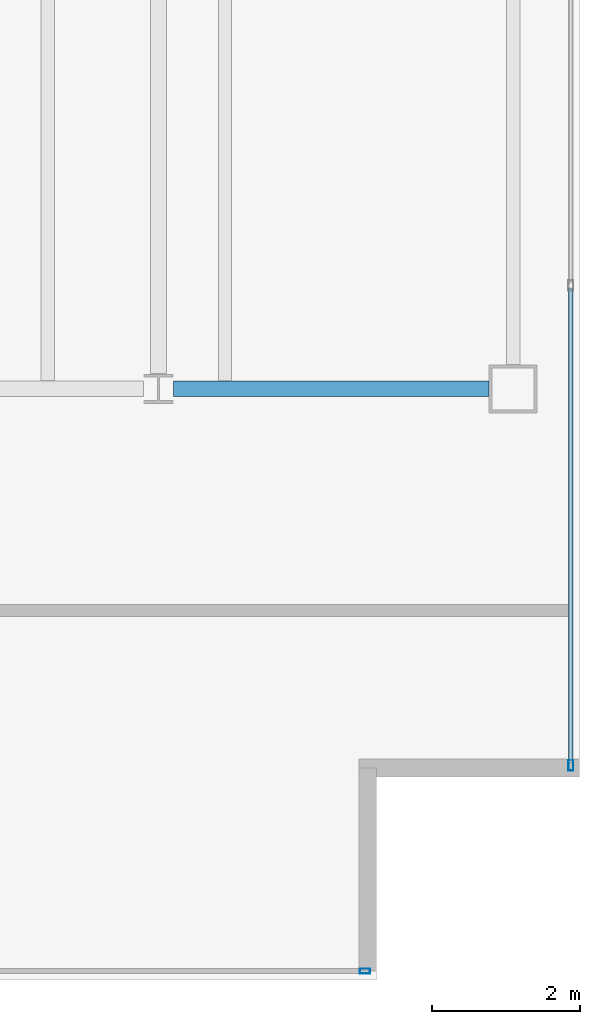
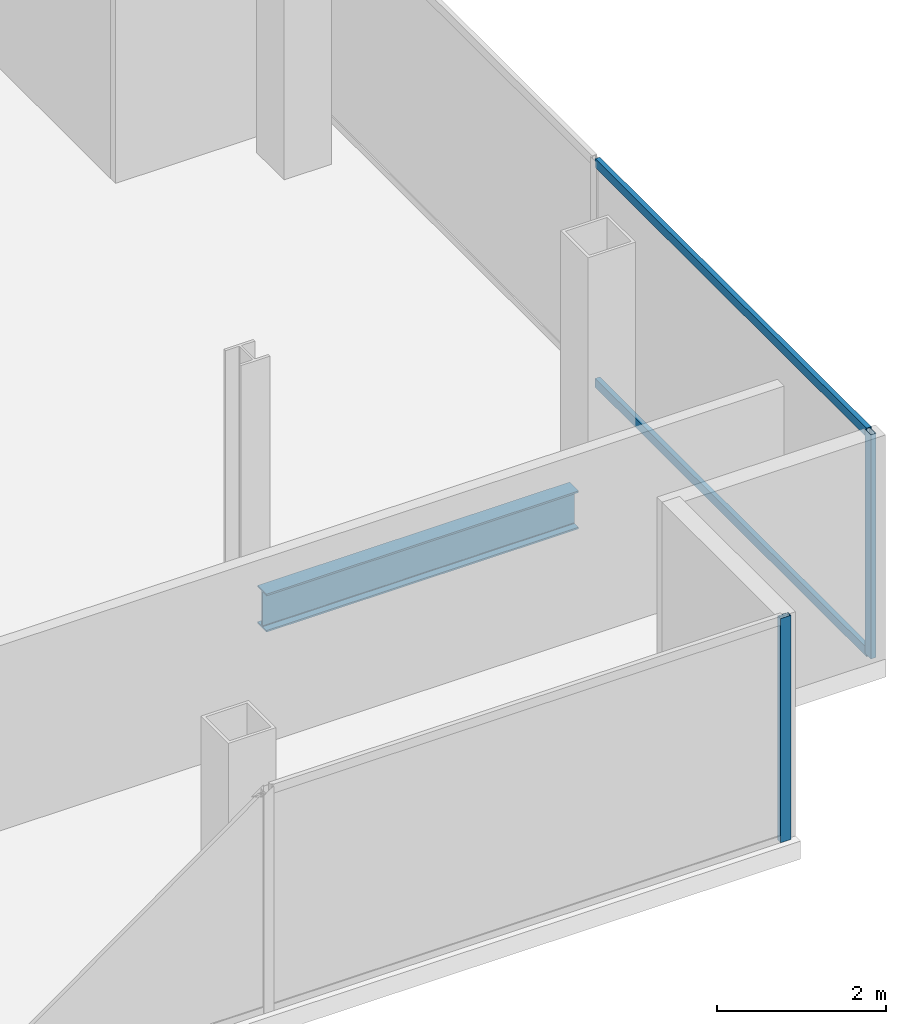
# One storey, part 14 of 24: 4 members, 1 beam, 2 elements without a shape of their own.
"""IFC4 building model written with IfcOpenShell, lengths in metres."""

import ifcopenshell
import ifcopenshell.guid

model = None  # the IFC model being written
_history = None  # IfcOwnerHistory: only IFC2X3 demands one
_inside = {}  # id of a spatial element -> (the spatial element, [elements in it])
_under = {}  # id of a project, library or spatial element -> (it, [spatial elements below it])
_declared = {}  # id of a project -> (the project, [libraries it declares])
_typed = {}  # id of a type object -> (the type object, [elements of that type])
_made_of = {}  # id of a material, layer set ... -> (it, [elements and type objects made of it])


def new_model(schema):
    """Start an empty IFC model of exactly this schema.

    Asked for "IFC4X3", IfcOpenShell would pick the latest addendum, in which some entities
    have other attributes; the version numbers below select the first issue.
    IFC2X3 requires an IfcOwnerHistory on every rooted entity: one is made here for all.
    """
    global model, _history
    if schema == "IFC4X3":
        model = ifcopenshell.file(schema_version=(4, 3, 0, 0))
    else:
        model = ifcopenshell.file(schema=schema)
    _inside.clear()
    _under.clear()
    _declared.clear()
    _typed.clear()
    _made_of.clear()
    _history = None
    if model.schema == "IFC2X3":
        org = make("IfcOrganization", Name="unknown")
        user = make(
            "IfcPersonAndOrganization",
            ThePerson=make("IfcPerson", FamilyName="unknown"),
            TheOrganization=org,
        )
        app = make(
            "IfcApplication",
            ApplicationDeveloper=org,
            Version="unknown",
            ApplicationFullName="unknown",
            ApplicationIdentifier="unknown",
        )
        _history = make(
            "IfcOwnerHistory",
            OwningUser=user,
            OwningApplication=app,
            ChangeAction="ADDED",
            CreationDate=0,
        )
    return model


def make(cls, **values):
    """One entity of the class cls with the attributes given. An attribute that is None is left unset."""
    return model.create_entity(
        cls, **{name: value for name, value in values.items() if value is not None}
    )


def rooted(cls, **values):
    """An entity with a GlobalId (a new one), such as an element, a storey or a relation."""
    return make(cls, GlobalId=ifcopenshell.guid.new(), OwnerHistory=_history, **values)


def si_unit(unit_type, name, prefix=None):
    """IfcSIUnit, for example si_unit("LENGTHUNIT", "METRE", prefix="MILLI")."""
    return make("IfcSIUnit", UnitType=unit_type, Prefix=prefix, Name=name)


def assignment(units):
    """IfcUnitAssignment: the units of a project."""
    return None if units is None else make("IfcUnitAssignment", Units=units)


def point(xyz):
    """IfcCartesianPoint."""
    return None if xyz is None else make("IfcCartesianPoint", Coordinates=xyz)


def direction(xyz):
    """IfcDirection."""
    return None if xyz is None else make("IfcDirection", DirectionRatios=xyz)


def frame(location, z_axis=None, x_axis=None):
    """IfcAxis2Placement3D, a coordinate frame: its origin and axes. An axis left out is left unset."""
    return make(
        "IfcAxis2Placement3D",
        Location=point(location),
        Axis=direction(z_axis),
        RefDirection=direction(x_axis),
    )


def frame_2d(location, x_axis=None):
    """IfcAxis2Placement2D, a coordinate frame in the plane: its origin and x axis."""
    return make(
        "IfcAxis2Placement2D", Location=point(location), RefDirection=direction(x_axis)
    )


def origin():
    """The frame at (0, 0, 0) with its axes left unset."""
    return frame((0.0, 0.0, 0.0))


def origin_2d():
    """The frame at (0, 0) in the plane with its x axis left unset."""
    return frame_2d((0.0, 0.0))


def place(relative_to, where):
    """IfcLocalPlacement: puts the frame where relative to a parent placement (None: the world)."""
    return make(
        "IfcLocalPlacement", PlacementRelTo=relative_to, RelativePlacement=where
    )


def context(
    kind, dimensions, precision=None, world=None, true_north=None, identifier=None
):
    """IfcGeometricRepresentationContext, for example the 3D "Model" context."""
    return make(
        "IfcGeometricRepresentationContext",
        ContextIdentifier=identifier,
        ContextType=kind,
        CoordinateSpaceDimension=dimensions,
        Precision=precision,
        WorldCoordinateSystem=world,
        TrueNorth=true_north,
    )


def subcontext(parent, identifier, kind, view, scale=None):
    """IfcGeometricRepresentationSubContext, for example "Body" below "Model"."""
    return make(
        "IfcGeometricRepresentationSubContext",
        ContextIdentifier=identifier,
        ContextType=kind,
        ParentContext=parent,
        TargetScale=scale,
        TargetView=view,
    )


def project(units=None, contexts=None):
    """IfcProject with its units and contexts."""
    return rooted(
        "IfcProject",
        Name="project",
        RepresentationContexts=contexts,
        UnitsInContext=assignment(units),
    )


def spatial(cls, under=None, at=None, **own):
    """A site, building, storey or space (cls), placed at a placement, below another one or the project."""
    s = rooted(cls, ObjectPlacement=at, **own)
    if under is not None:
        _under.setdefault(under.id(), (under, []))[1].append(s)
    return s


def profile(cls, at=None, kind="AREA", **sizes):
    """A parametric profile (cls). Its sizes go by their IFC names, for example OverallWidth=200.0."""
    return make(cls, ProfileType=kind, Position=at, **sizes)


def hollow_rectangle(**sizes):
    """IfcRectangleHollowProfileDef."""
    return profile("IfcRectangleHollowProfileDef", **sizes)


def i_section(**sizes):
    """IfcIShapeProfileDef."""
    return profile("IfcIShapeProfileDef", **sizes)


def extrude(swept, where, along, depth):
    """IfcExtrudedAreaSolid: the profile swept, set in the frame where, extruded along a direction by depth."""
    return make(
        "IfcExtrudedAreaSolid",
        SweptArea=swept,
        Position=where,
        ExtrudedDirection=direction(along),
        Depth=depth,
    )


def shape(context_of_items, identifier, shape_type, items):
    """IfcShapeRepresentation: the items that make up one representation, for example the "Body"."""
    return make(
        "IfcShapeRepresentation",
        ContextOfItems=context_of_items,
        RepresentationIdentifier=identifier,
        RepresentationType=shape_type,
        Items=items,
    )


def material(Name=None, Category=None):
    """IfcMaterial."""
    return make("IfcMaterial", Name=Name, Category=Category)


def material_profile(
    of_material, cross_section, Name=None, Category=None, Priority=None
):
    """IfcMaterialProfile: a cross section and its material."""
    return make(
        "IfcMaterialProfile",
        Name=Name,
        Material=of_material,
        Profile=cross_section,
        Priority=Priority,
        Category=Category,
    )


def profile_set(profiles, Name=None, composite=None):
    """IfcMaterialProfileSet."""
    return make(
        "IfcMaterialProfileSet",
        Name=Name,
        MaterialProfiles=profiles,
        CompositeProfile=composite,
    )


def made_of(thing, what):
    """Note that an element or type object is made of a material, layer set ...; save() writes the relation."""
    if what is not None:
        _made_of.setdefault(what.id(), (what, []))[1].append(thing)
    return thing


def type_object(cls, material=None, **own):
    """A type object (cls), such as IfcWallType, which elements share."""
    return made_of(rooted(cls, **own), material)


def element(
    cls,
    number,
    at=None,
    inside=None,
    cuts=None,
    type_object=None,
    material=None,
    context=None,
    identifier="Body",
    shape_type=None,
    held_by="IfcProductDefinitionShape",
    body=None,
    shapes=None,
    **own,
):
    """One element of the class cls, such as IfcWall. Its Tag is "e" and its number.

    at: its placement. inside: the storey or other place that contains it. cuts: it is an
    opening in that element (IfcRelVoidsElement). A single representation is given by context,
    identifier, shape_type and body (its items); several are given by shapes. held_by: the class
    of the entity that holds the representations. save() writes the other relations.
    """
    e = rooted(cls, Tag="e%d" % number, ObjectPlacement=at, **own)
    if body is not None:
        shapes = [shape(context, identifier, shape_type, body)]
    if shapes is not None:
        e.Representation = make(held_by, Representations=shapes)
    if inside is not None:
        _inside.setdefault(inside.id(), (inside, []))[1].append(e)
    if cuts is not None:
        rooted(
            "IfcRelVoidsElement", RelatingBuildingElement=cuts, RelatedOpeningElement=e
        )
    if type_object is not None:
        _typed.setdefault(type_object.id(), (type_object, []))[1].append(e)
    return made_of(e, material)


def aggregate(whole, parts):
    """IfcRelAggregates: a whole, such as a stair, and the parts it consists of."""
    return rooted("IfcRelAggregates", RelatingObject=whole, RelatedObjects=parts)


def save(model, path):
    """Write the relations noted so far, then the file.

    IfcRelAggregates (storeys below a building ...), IfcRelContainedInSpatialStructure (elements
    in a storey), IfcRelDefinesByType, IfcRelAssociatesMaterial and IfcRelDeclares: one each for
    every whole, place, type object, material and project.
    """
    for whole, parts in _under.values():
        aggregate(whole, parts)
    for where, things in _inside.values():
        rooted(
            "IfcRelContainedInSpatialStructure",
            RelatedElements=things,
            RelatingStructure=where,
        )
    for kind, things in _typed.values():
        rooted("IfcRelDefinesByType", RelatedObjects=things, RelatingType=kind)
    for what, things in _made_of.values():
        rooted("IfcRelAssociatesMaterial", RelatedObjects=things, RelatingMaterial=what)
    for by, libraries in _declared.values():
        rooted("IfcRelDeclares", RelatingContext=by, RelatedDefinitions=libraries)
    model.write(path)


model = new_model("IFC4")

# Units and contexts
model_context = context("Model", 3, precision=1e-05, world=origin(), true_north=direction((0.0, 1.0)))
body_context = subcontext(model_context, "Body", "Model", "MODEL_VIEW")
ifc_project = project(units=[si_unit("LENGTHUNIT", "METRE"), si_unit("AREAUNIT", "SQUARE_METRE"), si_unit("VOLUMEUNIT", "CUBIC_METRE"), si_unit("PLANEANGLEUNIT", "RADIAN"), si_unit("MASSUNIT", "GRAM", prefix="KILO")], contexts=[model_context])

# Site, building, storey
site_placement = place(None, origin())
site = spatial("IfcSite", under=ifc_project, at=site_placement, CompositionType="ELEMENT")
building_placement = place(site_placement, origin())
building = spatial("IfcBuilding", under=site, at=building_placement, Name="Cobrela Telecom Tower", CompositionType="ELEMENT")
storey_placement = place(building_placement, frame((0.0, 0.0, 244.64990234375)))
storey = spatial("IfcBuildingStorey", under=building, at=storey_placement, Name="L63", CompositionType="ELEMENT", Elevation=244.64990234375)

# Beam
ifc_material_1 = material(Name="Steel ASTM A992 Grade 50", Category="steel")
ifc_material_profile_1 = material_profile(ifc_material_1, i_section(OverallWidth=0.212890625, OverallDepth=0.549072265625, WebThickness=0.0146484375, FlangeThickness=0.023681640625, FilletRadius=0.013916015625, at=origin_2d()), Name="W21X93")
ifc_profile_set_1 = profile_set([ifc_material_profile_1], Name="Steel ASTM A992 Grade 50")
beam_type = type_object("IfcBeamType", Name="BM-GIRD-08", PredefinedType="USERDEFINED", material=ifc_profile_set_1)
beam_placement = place(storey_placement, frame((40.1044921875, 14.39990234375, -0.534423828125), z_axis=(1.0, 0.0, 0.0), x_axis=(0.0, 1.0, 0.0)))
element("IfcBeam", 1, at=beam_placement, inside=storey, type_object=beam_type, Name="L63 Primary Girder X09", ObjectType="GIRDER", PredefinedType="USERDEFINED", context=body_context, shape_type="SweptSolid", body=[
    extrude(i_section(OverallWidth=0.212890625, OverallDepth=0.549072265625, WebThickness=0.0146484375, FlangeThickness=0.023681640625, FilletRadius=0.013916015625, at=origin_2d()), origin(), (0.0, 0.0, 1.0), 4.265625),
])

# Curtain wall, member
ifc_material_2 = material(Name="Anodized Bronze Aluminium 6063-T6", Category="aluminium")
curtain_wall_type = type_object("IfcCurtainWallType", Name="CW-SYS-OFF-HI", PredefinedType="USERDEFINED", material=ifc_material_2)
curtain_wall_1_placement = place(storey_placement, origin())
curtain_wall_1 = element("IfcCurtainWall", 2, at=curtain_wall_1_placement, inside=storey, type_object=curtain_wall_type, Name="L63 Unitised Bronze Curtain Wall 12", ObjectType="UNITISED CURTAIN WALL", PredefinedType="USERDEFINED")
ifc_material_profile_2 = material_profile(ifc_material_2, hollow_rectangle(XDim=0.070068359375, YDim=0.139892578125, WallThickness=0.00390625, at=origin_2d()), Name="ALU 70x140x4")
ifc_profile_set_2 = profile_set([ifc_material_profile_2], Name="Anodized Bronze Aluminium 6063-T6")
member_type_1 = type_object("IfcMemberType", Name="CW-SYS-OFF-HI-MUL", PredefinedType="MULLION", material=ifc_profile_set_2)
member_1_placement = place(storey_placement, frame((45.47998046875, 9.304931640625, 0.0), z_axis=(0.0, 0.0, 1.0), x_axis=(1.0, 0.0, 0.0)))
member_1 = element("IfcMember", 3, at=member_1_placement, type_object=member_type_1, Name="CW-OFF-HI mullion 3", PredefinedType="MULLION", context=body_context, shape_type="SweptSolid", body=[
    extrude(hollow_rectangle(XDim=0.070068359375, YDim=0.139892578125, WallThickness=0.00390625, at=origin_2d()), origin(), (0.0, 0.0, 1.0), 3.239990234375),
])

curtain_wall_2_placement = place(storey_placement, origin())
curtain_wall_2 = element("IfcCurtainWall", 4, at=curtain_wall_2_placement, inside=storey, type_object=curtain_wall_type, Name="L63 Unitised Bronze Curtain Wall 15", ObjectType="UNITISED CURTAIN WALL", PredefinedType="USERDEFINED")
member_2_placement = place(storey_placement, frame((42.695068359375, 6.52001953125, 0.0), z_axis=(0.0, 0.0, 1.0), x_axis=(0.0, -1.0, 0.0)))
member_2 = element("IfcMember", 5, at=member_2_placement, type_object=member_type_1, Name="CW-OFF-HI mullion 1", PredefinedType="MULLION", context=body_context, shape_type="SweptSolid", body=[
    extrude(hollow_rectangle(XDim=0.070068359375, YDim=0.139892578125, WallThickness=0.00390625, at=origin_2d()), origin(), (0.0, 0.0, 1.0), 3.239990234375),
])
aggregate(curtain_wall_2, [member_2])

# Member
ifc_material_profile_3 = material_profile(ifc_material_2, hollow_rectangle(XDim=0.06494140625, YDim=0.1298828125, WallThickness=0.00390625, at=origin_2d()), Name="ALU 65x130x4")
ifc_profile_set_3 = profile_set([ifc_material_profile_3], Name="Anodized Bronze Aluminium 6063-T6")
member_type_2 = type_object("IfcMemberType", Name="CW-SYS-OFF-HI-TRN", PredefinedType="USERDEFINED", material=ifc_profile_set_3)
member_3_placement = place(storey_placement, frame((45.47998046875, 15.764892578125, 0.03271484375), z_axis=(0.0, -1.0, 0.0), x_axis=(1.0, 0.0, 0.0)))
member_3 = element("IfcMember", 6, at=member_3_placement, type_object=member_type_2, Name="CW-OFF-HI transom 2.1", ObjectType="TRANSOM", PredefinedType="USERDEFINED", context=body_context, shape_type="SweptSolid", body=[
    extrude(hollow_rectangle(XDim=0.06494140625, YDim=0.1298828125, WallThickness=0.00390625, at=origin_2d()), origin(), (0.0, 0.0, 1.0), 6.4248046875),
])

member_4_placement = place(storey_placement, frame((45.47998046875, 15.764892578125, 3.20751953125), z_axis=(0.0, -1.0, 0.0), x_axis=(1.0, 0.0, 0.0)))
member_4 = element("IfcMember", 7, at=member_4_placement, type_object=member_type_2, Name="CW-OFF-HI transom 2.2", ObjectType="TRANSOM", PredefinedType="USERDEFINED", context=body_context, shape_type="SweptSolid", body=[
    extrude(hollow_rectangle(XDim=0.06494140625, YDim=0.1298828125, WallThickness=0.00390625, at=origin_2d()), origin(), (0.0, 0.0, 1.0), 6.4248046875),
])

aggregate(curtain_wall_1, [member_1, member_3, member_4])

save(model, "model.ifc")
